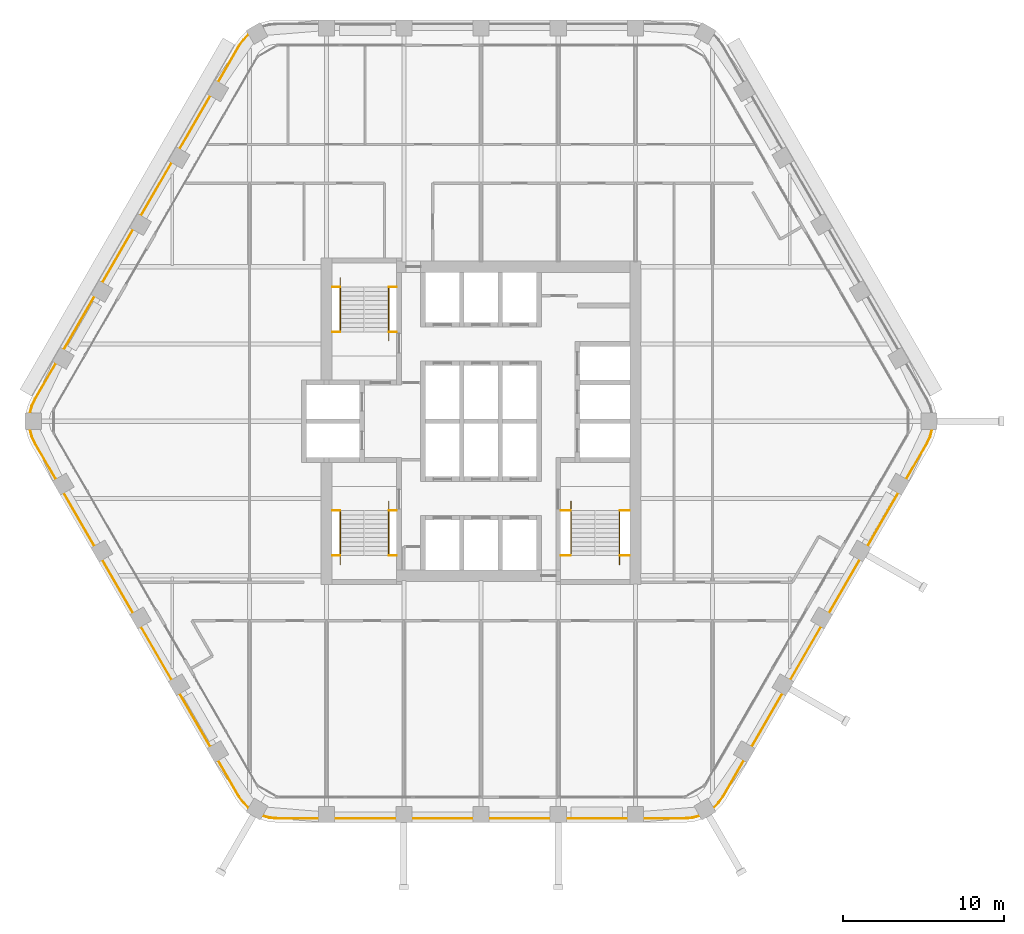
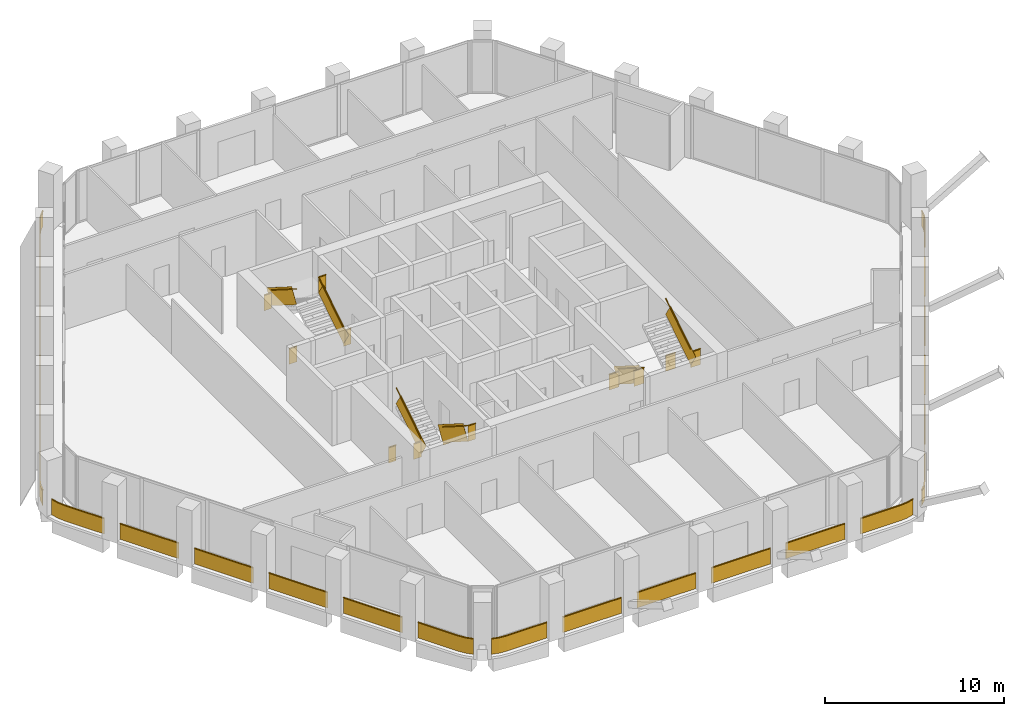
# One storey, part 15 of 16: 10 railings.
"""IFC4 building model written with IfcOpenShell, lengths in metres."""

from ifc_helpers import new_model, si_unit, direction, frame, frame_2d, origin, origin_2d, place, context, subcontext, project, spatial, rectangle, extrude, material, type_object, element, save


model = new_model("IFC4")

# Units and contexts
model_context = context("Model", 3, precision=1e-05, world=origin(), true_north=direction((0.0, 1.0)))
body_context = subcontext(model_context, "Body", "Model", "MODEL_VIEW")
ifc_project = project(units=[si_unit("LENGTHUNIT", "METRE"), si_unit("AREAUNIT", "SQUARE_METRE"), si_unit("VOLUMEUNIT", "CUBIC_METRE"), si_unit("PLANEANGLEUNIT", "RADIAN"), si_unit("MASSUNIT", "GRAM", prefix="KILO")], contexts=[model_context])

# Site, building, storey
site_placement = place(None, origin())
site = spatial("IfcSite", under=ifc_project, at=site_placement, CompositionType="ELEMENT")
building_placement = place(site_placement, origin())
building = spatial("IfcBuilding", under=site, at=building_placement, Name="Kolab Exchange Tower", CompositionType="ELEMENT")
storey_placement = place(building_placement, frame((0.0, 0.0, 193.39990234375)))
storey = spatial("IfcBuildingStorey", under=building, at=storey_placement, Name="L41", CompositionType="ELEMENT", Elevation=193.39990234375)

# Railings
ifc_material_1 = material(Name="Stainless steel 316", Category="steel")
railing_type_1 = type_object("IfcRailingType", Name="GUARD 1100", PredefinedType="GUARDRAIL", material=ifc_material_1)
railing_1_placement = place(storey_placement, frame((-9.25, 5.550048828125, 0.0)))
element("IfcRailing", 1, at=railing_1_placement, inside=storey, type_object=railing_type_1, Name="Guard ST1", PredefinedType="GUARDRAIL", context=body_context, shape_type="SweptSolid", body=[
    extrude(rectangle(XDim=0.05, YDim=0.05, at=origin_2d()), frame((0.0, 0.0, 1.0751953125), z_axis=(1.0, 0.0, 0.0), x_axis=(0.0, 1.0, 0.0)), (0.0, 0.0, 1.0), 0.489990234375),
    extrude(rectangle(XDim=0.012, YDim=1.05009765625, at=frame_2d((0.0, 0.525146484375))), frame((0.0, 0.0, 0.0), z_axis=(1.0, 0.0, 0.0), x_axis=(0.0, 1.0, 0.0)), (0.0, 0.0, 1.0), 0.489990234375),
    extrude(rectangle(XDim=0.05, YDim=0.05, at=origin_2d()), frame((3.510009765625, 0.0, 1.0751953125), z_axis=(1.0, 0.0, 0.0), x_axis=(0.0, 1.0, 0.0)), (0.0, 0.0, 1.0), 0.489990234375),
    extrude(rectangle(XDim=0.012, YDim=1.05009765625, at=frame_2d((0.0, 0.525146484375))), frame((3.510009765625, 0.0, 0.0), z_axis=(1.0, 0.0, 0.0), x_axis=(0.0, 1.0, 0.0)), (0.0, 0.0, 1.0), 0.489990234375),
    extrude(rectangle(XDim=0.05, YDim=0.05, at=origin_2d()), frame((0.0, 2.800048828125, 3.025390625), z_axis=(1.0, 0.0, 0.0), x_axis=(0.0, 1.0, 0.0)), (0.0, 0.0, 1.0), 0.489990234375),
    extrude(rectangle(XDim=0.012, YDim=1.05009765625, at=frame_2d((0.0, 0.525146484375))), frame((0.0, 2.800048828125, 1.9501953125), z_axis=(1.0, 0.0, 0.0), x_axis=(0.0, 1.0, 0.0)), (0.0, 0.0, 1.0), 0.489990234375),
    extrude(rectangle(XDim=0.05, YDim=0.05, at=origin_2d()), frame((3.510009765625, 2.800048828125, 3.025390625), z_axis=(1.0, 0.0, 0.0), x_axis=(0.0, 1.0, 0.0)), (0.0, 0.0, 1.0), 0.489990234375),
    extrude(rectangle(XDim=0.012, YDim=1.05009765625, at=frame_2d((0.0, 0.525146484375))), frame((3.510009765625, 2.800048828125, 1.9501953125), z_axis=(1.0, 0.0, 0.0), x_axis=(0.0, 1.0, 0.0)), (0.0, 0.0, 1.0), 0.489990234375),
])
railing_2_placement = place(storey_placement, frame((-5.739990234375, 5.550048828125, 0.177490234375)))
element("IfcRailing", 2, at=railing_2_placement, inside=storey, type_object=railing_type_1, Name="Handrail guard ST1", PredefinedType="GUARDRAIL", context=body_context, shape_type="SweptSolid", body=[
    extrude(rectangle(XDim=0.05, YDim=0.05, at=origin_2d()), frame((0.0, 0.0, 1.0751953125), z_axis=(0.0, 0.844908973607, 0.534910110503), x_axis=(-1.0, 0.0, 0.0)), (0.0, 0.0, 1.0), 3.31396484375),
    extrude(rectangle(XDim=0.012, YDim=1.05009765625, at=frame_2d((0.0, 0.525146484375))), frame((0.0, 0.0, 0.0), z_axis=(0.0, 0.844908973607, 0.534910110503), x_axis=(-1.0, 0.0, 0.0)), (0.0, 0.0, 1.0), 3.31396484375),
    extrude(rectangle(XDim=0.05, YDim=0.05, at=origin_2d()), frame((-3.02001953125, 2.800048828125, 3.025146484375), z_axis=(0.0, -0.844908973607, 0.534910110503), x_axis=(1.0, 0.0, 0.0)), (0.0, 0.0, 1.0), 3.31396484375),
    extrude(rectangle(XDim=0.012, YDim=1.05009765625, at=frame_2d((0.0, 0.525146484375))), frame((-3.02001953125, 2.800048828125, 1.949951171875), z_axis=(0.0, -0.844908973607, 0.534910110503), x_axis=(1.0, 0.0, 0.0)), (0.0, 0.0, 1.0), 3.31396484375),
])
railing_3_placement = place(storey_placement, frame((-9.25, -5.550048828125, 0.0)))
element("IfcRailing", 3, at=railing_3_placement, inside=storey, type_object=railing_type_1, Name="Guard ST3", PredefinedType="GUARDRAIL", context=body_context, shape_type="SweptSolid", body=[
    extrude(rectangle(XDim=0.05, YDim=0.05, at=origin_2d()), frame((0.0, 0.0, 1.0751953125), z_axis=(1.0, 0.0, 0.0), x_axis=(0.0, 1.0, 0.0)), (0.0, 0.0, 1.0), 0.489990234375),
    extrude(rectangle(XDim=0.012, YDim=1.05009765625, at=frame_2d((0.0, 0.525146484375))), frame((0.0, 0.0, 0.0), z_axis=(1.0, 0.0, 0.0), x_axis=(0.0, 1.0, 0.0)), (0.0, 0.0, 1.0), 0.489990234375),
    extrude(rectangle(XDim=0.05, YDim=0.05, at=origin_2d()), frame((3.510009765625, 0.0, 1.0751953125), z_axis=(1.0, 0.0, 0.0), x_axis=(0.0, 1.0, 0.0)), (0.0, 0.0, 1.0), 0.489990234375),
    extrude(rectangle(XDim=0.012, YDim=1.05009765625, at=frame_2d((0.0, 0.525146484375))), frame((3.510009765625, 0.0, 0.0), z_axis=(1.0, 0.0, 0.0), x_axis=(0.0, 1.0, 0.0)), (0.0, 0.0, 1.0), 0.489990234375),
    extrude(rectangle(XDim=0.05, YDim=0.05, at=origin_2d()), frame((0.0, -2.800048828125, 3.025390625), z_axis=(1.0, 0.0, 0.0), x_axis=(0.0, 1.0, 0.0)), (0.0, 0.0, 1.0), 0.489990234375),
    extrude(rectangle(XDim=0.012, YDim=1.05009765625, at=frame_2d((0.0, 0.525146484375))), frame((0.0, -2.800048828125, 1.9501953125), z_axis=(1.0, 0.0, 0.0), x_axis=(0.0, 1.0, 0.0)), (0.0, 0.0, 1.0), 0.489990234375),
    extrude(rectangle(XDim=0.05, YDim=0.05, at=origin_2d()), frame((3.510009765625, -2.800048828125, 3.025390625), z_axis=(1.0, 0.0, 0.0), x_axis=(0.0, 1.0, 0.0)), (0.0, 0.0, 1.0), 0.489990234375),
    extrude(rectangle(XDim=0.012, YDim=1.05009765625, at=frame_2d((0.0, 0.525146484375))), frame((3.510009765625, -2.800048828125, 1.9501953125), z_axis=(1.0, 0.0, 0.0), x_axis=(0.0, 1.0, 0.0)), (0.0, 0.0, 1.0), 0.489990234375),
])
railing_4_placement = place(storey_placement, frame((-5.739990234375, -5.550048828125, 0.177490234375)))
element("IfcRailing", 4, at=railing_4_placement, inside=storey, type_object=railing_type_1, Name="Handrail guard ST3", PredefinedType="GUARDRAIL", context=body_context, shape_type="SweptSolid", body=[
    extrude(rectangle(XDim=0.05, YDim=0.05, at=origin_2d()), frame((0.0, 0.0, 1.0751953125), z_axis=(0.0, -0.844908973607, 0.534910110503), x_axis=(1.0, 0.0, 0.0)), (0.0, 0.0, 1.0), 3.31396484375),
    extrude(rectangle(XDim=0.012, YDim=1.05009765625, at=frame_2d((0.0, 0.525146484375))), frame((0.0, 0.0, 0.0), z_axis=(0.0, -0.844908973607, 0.534910110503), x_axis=(1.0, 0.0, 0.0)), (0.0, 0.0, 1.0), 3.31396484375),
    extrude(rectangle(XDim=0.05, YDim=0.05, at=origin_2d()), frame((-3.02001953125, -2.800048828125, 3.025146484375), z_axis=(0.0, 0.844908973607, 0.534910110503), x_axis=(-1.0, 0.0, 0.0)), (0.0, 0.0, 1.0), 3.31396484375),
    extrude(rectangle(XDim=0.012, YDim=1.05009765625, at=frame_2d((0.0, 0.525146484375))), frame((-3.02001953125, -2.800048828125, 1.949951171875), z_axis=(0.0, 0.844908973607, 0.534910110503), x_axis=(-1.0, 0.0, 0.0)), (0.0, 0.0, 1.0), 3.31396484375),
])
railing_5_placement = place(storey_placement, frame((4.949951171875, -5.550048828125, 0.0)))
element("IfcRailing", 5, at=railing_5_placement, inside=storey, type_object=railing_type_1, Name="Guard ST2", PredefinedType="GUARDRAIL", context=body_context, shape_type="SweptSolid", body=[
    extrude(rectangle(XDim=0.05, YDim=0.05, at=origin_2d()), frame((0.0, 0.0, 1.0751953125), z_axis=(1.0, 0.0, 0.0), x_axis=(0.0, 1.0, 0.0)), (0.0, 0.0, 1.0), 0.64013671875),
    extrude(rectangle(XDim=0.012, YDim=1.05009765625, at=frame_2d((0.0, 0.525146484375))), frame((0.0, 0.0, 0.0), z_axis=(1.0, 0.0, 0.0), x_axis=(0.0, 1.0, 0.0)), (0.0, 0.0, 1.0), 0.64013671875),
    extrude(rectangle(XDim=0.05, YDim=0.05, at=origin_2d()), frame((3.66015625, 0.0, 1.0751953125), z_axis=(1.0, 0.0, 0.0), x_axis=(0.0, 1.0, 0.0)), (0.0, 0.0, 1.0), 0.639892578125),
    extrude(rectangle(XDim=0.012, YDim=1.05009765625, at=frame_2d((0.0, 0.525146484375))), frame((3.66015625, 0.0, 0.0), z_axis=(1.0, 0.0, 0.0), x_axis=(0.0, 1.0, 0.0)), (0.0, 0.0, 1.0), 0.639892578125),
    extrude(rectangle(XDim=0.05, YDim=0.05, at=origin_2d()), frame((0.0, -2.800048828125, 3.025390625), z_axis=(1.0, 0.0, 0.0), x_axis=(0.0, 1.0, 0.0)), (0.0, 0.0, 1.0), 0.64013671875),
    extrude(rectangle(XDim=0.012, YDim=1.05009765625, at=frame_2d((0.0, 0.525146484375))), frame((0.0, -2.800048828125, 1.9501953125), z_axis=(1.0, 0.0, 0.0), x_axis=(0.0, 1.0, 0.0)), (0.0, 0.0, 1.0), 0.64013671875),
    extrude(rectangle(XDim=0.05, YDim=0.05, at=origin_2d()), frame((3.66015625, -2.800048828125, 3.025390625), z_axis=(1.0, 0.0, 0.0), x_axis=(0.0, 1.0, 0.0)), (0.0, 0.0, 1.0), 0.639892578125),
    extrude(rectangle(XDim=0.012, YDim=1.05009765625, at=frame_2d((0.0, 0.525146484375))), frame((3.66015625, -2.800048828125, 1.9501953125), z_axis=(1.0, 0.0, 0.0), x_axis=(0.0, 1.0, 0.0)), (0.0, 0.0, 1.0), 0.639892578125),
])
railing_6_placement = place(storey_placement, frame((5.590087890625, -5.550048828125, 0.177490234375)))
element("IfcRailing", 6, at=railing_6_placement, inside=storey, type_object=railing_type_1, Name="Handrail guard ST2", PredefinedType="GUARDRAIL", context=body_context, shape_type="SweptSolid", body=[
    extrude(rectangle(XDim=0.05, YDim=0.05, at=origin_2d()), frame((0.0, 0.0, 1.0751953125), z_axis=(0.0, -0.844908973607, 0.534910110503), x_axis=(1.0, 0.0, 0.0)), (0.0, 0.0, 1.0), 3.31396484375),
    extrude(rectangle(XDim=0.012, YDim=1.05009765625, at=frame_2d((0.0, 0.525146484375))), frame((0.0, 0.0, 0.0), z_axis=(0.0, -0.844908973607, 0.534910110503), x_axis=(1.0, 0.0, 0.0)), (0.0, 0.0, 1.0), 3.31396484375),
    extrude(rectangle(XDim=0.05, YDim=0.05, at=origin_2d()), frame((3.02001953125, -2.800048828125, 3.025146484375), z_axis=(0.0, 0.844908973607, 0.534910110503), x_axis=(-1.0, 0.0, 0.0)), (0.0, 0.0, 1.0), 3.31396484375),
    extrude(rectangle(XDim=0.012, YDim=1.05009765625, at=frame_2d((0.0, 0.525146484375))), frame((3.02001953125, -2.800048828125, 1.949951171875), z_axis=(0.0, 0.844908973607, 0.534910110503), x_axis=(-1.0, 0.0, 0.0)), (0.0, 0.0, 1.0), 3.31396484375),
])
ifc_material_2 = material(Name="Steel S235", Category="steel")
railing_type_2 = type_object("IfcRailingType", Name="GUARD 1100 GLASS BALUSTRADE AND STEEL TOP RAIL", PredefinedType="GUARDRAIL", material=ifc_material_2)
railing_7_placement = place(storey_placement, frame((14.4501953125, -24.033447265625, 0.0)))
element("IfcRailing", 7, at=railing_7_placement, inside=storey, type_object=railing_type_2, Name="Guard", PredefinedType="GUARDRAIL", context=body_context, shape_type="SweptSolid", body=[
    extrude(rectangle(XDim=0.05, YDim=0.05, at=origin_2d()), frame((0.0, 0.0, 1.0751953125), z_axis=(0.70737286085, 0.706840601361, 0.0), x_axis=(-0.706840601361, 0.70737286085, 0.0)), (0.0, 0.0, 1.0), 0.458740234375),
    extrude(rectangle(XDim=0.012, YDim=1.05009765625, at=frame_2d((0.0, 0.525146484375))), frame((0.0, 0.0, 0.0), z_axis=(0.70737286085, 0.706840601361, 0.0), x_axis=(-0.706840601361, 0.70737286085, 0.0)), (0.0, 0.0, 1.0), 0.458740234375),
    extrude(rectangle(XDim=0.05, YDim=0.05, at=origin_2d()), frame((0.324462890625, 0.32421875, 1.0751953125), z_axis=(0.573599091554, 0.819136180478, 0.0), x_axis=(-0.819136180478, 0.573599091554, 0.0)), (0.0, 0.0, 1.0), 0.479248046875),
    extrude(rectangle(XDim=0.012, YDim=1.05009765625, at=frame_2d((0.0, 0.525146484375))), frame((0.324462890625, 0.32421875, 0.0), z_axis=(0.573599091554, 0.819136180478, 0.0), x_axis=(-0.819136180478, 0.573599091554, 0.0)), (0.0, 0.0, 1.0), 0.479248046875),
    extrude(rectangle(XDim=0.05, YDim=0.05, at=origin_2d()), frame((0.599365234375, 0.716796875, 1.0751953125), z_axis=(0.499952873616, 0.866052610505, 0.0), x_axis=(-0.866052610505, 0.499952873616, 0.0)), (0.0, 0.0, 1.0), 2.568115234375),
    extrude(rectangle(XDim=0.012, YDim=1.05009765625, at=frame_2d((0.0, 0.525146484375))), frame((0.599365234375, 0.716796875, 0.0), z_axis=(0.499952873616, 0.866052610505, 0.0), x_axis=(-0.866052610505, 0.499952873616, 0.0)), (0.0, 0.0, 1.0), 2.568115234375),
    extrude(rectangle(XDim=0.05, YDim=0.05, at=origin_2d()), frame((2.38330078125, 3.806884765625, 1.0751953125), z_axis=(0.499994975061, 0.866028304915, 0.0), x_axis=(-0.866028304915, 0.499994975061, 0.0)), (0.0, 0.0, 1.0), 3.7998046875),
    extrude(rectangle(XDim=0.012, YDim=1.05009765625, at=frame_2d((0.0, 0.525146484375))), frame((2.38330078125, 3.806884765625, 0.0), z_axis=(0.499994975061, 0.866028304915, 0.0), x_axis=(-0.866028304915, 0.499994975061, 0.0)), (0.0, 0.0, 1.0), 3.7998046875),
    extrude(rectangle(XDim=0.05, YDim=0.05, at=origin_2d()), frame((4.783203125, 7.9638671875, 1.0751953125), z_axis=(0.500043160704, 0.866000483506, 0.0), x_axis=(-0.866000483506, 0.500043160704, 0.0)), (0.0, 0.0, 1.0), 3.800048828125),
    extrude(rectangle(XDim=0.012, YDim=1.05009765625, at=frame_2d((0.0, 0.525146484375))), frame((4.783203125, 7.9638671875, 0.0), z_axis=(0.500043160704, 0.866000483506, 0.0), x_axis=(-0.866000483506, 0.500043160704, 0.0)), (0.0, 0.0, 1.0), 3.800048828125),
    extrude(rectangle(XDim=0.05, YDim=0.05, at=origin_2d()), frame((7.183349609375, 12.12060546875, 1.0751953125), z_axis=(0.499967155389, 0.866044365799, 0.0), x_axis=(-0.866044365799, 0.499967155389, 0.0)), (0.0, 0.0, 1.0), 3.800048828125),
    extrude(rectangle(XDim=0.012, YDim=1.05009765625, at=frame_2d((0.0, 0.525146484375))), frame((7.183349609375, 12.12060546875, 0.0), z_axis=(0.499967155389, 0.866044365799, 0.0), x_axis=(-0.866044365799, 0.499967155389, 0.0)), (0.0, 0.0, 1.0), 3.800048828125),
    extrude(rectangle(XDim=0.05, YDim=0.05, at=origin_2d()), frame((9.583251953125, 16.277587890625, 1.0751953125), z_axis=(0.500015340139, 0.86601654697, 0.0), x_axis=(-0.86601654697, 0.500015340139, 0.0)), (0.0, 0.0, 1.0), 3.80029296875),
    extrude(rectangle(XDim=0.012, YDim=1.05009765625, at=frame_2d((0.0, 0.525146484375))), frame((9.583251953125, 16.277587890625, 0.0), z_axis=(0.500015340139, 0.86601654697, 0.0), x_axis=(-0.86601654697, 0.500015340139, 0.0)), (0.0, 0.0, 1.0), 3.80029296875),
    extrude(rectangle(XDim=0.05, YDim=0.05, at=origin_2d()), frame((11.9833984375, 20.4345703125, 1.0751953125), z_axis=(0.499994038704, 0.866028845513, 0.0), x_axis=(-0.866028845513, 0.499994038704, 0.0)), (0.0, 0.0, 1.0), 2.56787109375),
    extrude(rectangle(XDim=0.012, YDim=1.05009765625, at=frame_2d((0.0, 0.525146484375))), frame((11.9833984375, 20.4345703125, 0.0), z_axis=(0.499994038704, 0.866028845513, 0.0), x_axis=(-0.866028845513, 0.499994038704, 0.0)), (0.0, 0.0, 1.0), 2.56787109375),
    extrude(rectangle(XDim=0.05, YDim=0.05, at=origin_2d()), frame((13.267333984375, 22.658447265625, 1.0751953125), z_axis=(0.422801802984, 0.906222177721, 0.0), x_axis=(-0.906222177721, 0.422801802984, 0.0)), (0.0, 0.0, 1.0), 0.479248046875),
    extrude(rectangle(XDim=0.012, YDim=1.05009765625, at=frame_2d((0.0, 0.525146484375))), frame((13.267333984375, 22.658447265625, 0.0), z_axis=(0.422801802984, 0.906222177721, 0.0), x_axis=(-0.906222177721, 0.422801802984, 0.0)), (0.0, 0.0, 1.0), 0.479248046875),
    extrude(rectangle(XDim=0.05, YDim=0.05, at=origin_2d()), frame((13.469970703125, 23.0927734375, 1.0751953125), z_axis=(0.25865627591, 0.965969425465, 0.0), x_axis=(-0.965969425465, 0.25865627591, 0.0)), (0.0, 0.0, 1.0), 0.458740234375),
    extrude(rectangle(XDim=0.012, YDim=1.05009765625, at=frame_2d((0.0, 0.525146484375))), frame((13.469970703125, 23.0927734375, 0.0), z_axis=(0.25865627591, 0.965969425465, 0.0), x_axis=(-0.965969425465, 0.25865627591, 0.0)), (0.0, 0.0, 1.0), 0.458740234375),
])
railing_8_placement = place(storey_placement, frame((-13.588623046875, -24.531005859375, 0.0)))
element("IfcRailing", 8, at=railing_8_placement, inside=storey, type_object=railing_type_2, Name="Guard", PredefinedType="GUARDRAIL", context=body_context, shape_type="SweptSolid", body=[
    extrude(rectangle(XDim=0.05, YDim=0.05, at=origin_2d()), frame((0.0, 0.0, 1.0751953125), z_axis=(0.965969425465, -0.25865627591, 0.0), x_axis=(0.25865627591, 0.965969425465, 0.0)), (0.0, 0.0, 1.0), 0.458740234375),
    extrude(rectangle(XDim=0.012, YDim=1.05009765625, at=frame_2d((0.0, 0.525146484375))), frame((0.0, 0.0, 0.0), z_axis=(0.965969425465, -0.25865627591, 0.0), x_axis=(0.25865627591, 0.965969425465, 0.0)), (0.0, 0.0, 1.0), 0.458740234375),
    extrude(rectangle(XDim=0.05, YDim=0.05, at=origin_2d()), frame((0.443115234375, -0.11865234375, 1.0751953125), z_axis=(0.996156034798, -0.087596542937, 0.0), x_axis=(0.087596542937, 0.996156034798, 0.0)), (0.0, 0.0, 1.0), 0.4794921875),
    extrude(rectangle(XDim=0.012, YDim=1.05009765625, at=frame_2d((0.0, 0.525146484375))), frame((0.443115234375, -0.11865234375, 0.0), z_axis=(0.996156034798, -0.087596542937, 0.0), x_axis=(0.087596542937, 0.996156034798, 0.0)), (0.0, 0.0, 1.0), 0.4794921875),
    extrude(rectangle(XDim=0.05, YDim=0.05, at=origin_2d()), frame((0.920654296875, -0.16064453125, 1.0751953125), z_axis=(1.0, 0.0, 0.0), x_axis=(0.0, 1.0, 0.0)), (0.0, 0.0, 1.0), 2.56787109375),
    extrude(rectangle(XDim=0.012, YDim=1.05009765625, at=frame_2d((0.0, 0.525146484375))), frame((0.920654296875, -0.16064453125, 0.0), z_axis=(1.0, 0.0, 0.0), x_axis=(0.0, 1.0, 0.0)), (0.0, 0.0, 1.0), 2.56787109375),
    extrude(rectangle(XDim=0.05, YDim=0.05, at=origin_2d()), frame((4.488525390625, -0.16064453125, 1.0751953125), z_axis=(1.0, 0.0, 0.0), x_axis=(0.0, 1.0, 0.0)), (0.0, 0.0, 1.0), 3.800048828125),
    extrude(rectangle(XDim=0.012, YDim=1.05009765625, at=frame_2d((0.0, 0.525146484375))), frame((4.488525390625, -0.16064453125, 0.0), z_axis=(1.0, 0.0, 0.0), x_axis=(0.0, 1.0, 0.0)), (0.0, 0.0, 1.0), 3.800048828125),
    extrude(rectangle(XDim=0.05, YDim=0.05, at=origin_2d()), frame((9.28857421875, -0.16064453125, 1.0751953125), z_axis=(1.0, 0.0, 0.0), x_axis=(0.0, 1.0, 0.0)), (0.0, 0.0, 1.0), 3.800048828125),
    extrude(rectangle(XDim=0.012, YDim=1.05009765625, at=frame_2d((0.0, 0.525146484375))), frame((9.28857421875, -0.16064453125, 0.0), z_axis=(1.0, 0.0, 0.0), x_axis=(0.0, 1.0, 0.0)), (0.0, 0.0, 1.0), 3.800048828125),
    extrude(rectangle(XDim=0.05, YDim=0.05, at=origin_2d()), frame((14.088623046875, -0.16064453125, 1.0751953125), z_axis=(1.0, 0.0, 0.0), x_axis=(0.0, 1.0, 0.0)), (0.0, 0.0, 1.0), 3.800048828125),
    extrude(rectangle(XDim=0.012, YDim=1.05009765625, at=frame_2d((0.0, 0.525146484375))), frame((14.088623046875, -0.16064453125, 0.0), z_axis=(1.0, 0.0, 0.0), x_axis=(0.0, 1.0, 0.0)), (0.0, 0.0, 1.0), 3.800048828125),
    extrude(rectangle(XDim=0.05, YDim=0.05, at=origin_2d()), frame((18.888671875, -0.16064453125, 1.0751953125), z_axis=(1.0, 0.0, 0.0), x_axis=(0.0, 1.0, 0.0)), (0.0, 0.0, 1.0), 3.800048828125),
    extrude(rectangle(XDim=0.012, YDim=1.05009765625, at=frame_2d((0.0, 0.525146484375))), frame((18.888671875, -0.16064453125, 0.0), z_axis=(1.0, 0.0, 0.0), x_axis=(0.0, 1.0, 0.0)), (0.0, 0.0, 1.0), 3.800048828125),
    extrude(rectangle(XDim=0.05, YDim=0.05, at=origin_2d()), frame((23.688720703125, -0.16064453125, 1.0751953125), z_axis=(1.0, 0.0, 0.0), x_axis=(0.0, 1.0, 0.0)), (0.0, 0.0, 1.0), 2.56787109375),
    extrude(rectangle(XDim=0.012, YDim=1.05009765625, at=frame_2d((0.0, 0.525146484375))), frame((23.688720703125, -0.16064453125, 0.0), z_axis=(1.0, 0.0, 0.0), x_axis=(0.0, 1.0, 0.0)), (0.0, 0.0, 1.0), 2.56787109375),
    extrude(rectangle(XDim=0.05, YDim=0.05, at=origin_2d()), frame((26.256591796875, -0.16064453125, 1.0751953125), z_axis=(0.996156034798, 0.087596542937, 0.0), x_axis=(-0.087596542937, 0.996156034798, 0.0)), (0.0, 0.0, 1.0), 0.4794921875),
    extrude(rectangle(XDim=0.012, YDim=1.05009765625, at=frame_2d((0.0, 0.525146484375))), frame((26.256591796875, -0.16064453125, 0.0), z_axis=(0.996156034798, 0.087596542937, 0.0), x_axis=(-0.087596542937, 0.996156034798, 0.0)), (0.0, 0.0, 1.0), 0.4794921875),
    extrude(rectangle(XDim=0.05, YDim=0.05, at=origin_2d()), frame((26.734130859375, -0.11865234375, 1.0751953125), z_axis=(0.965969425465, 0.25865627591, 0.0), x_axis=(-0.25865627591, 0.965969425465, 0.0)), (0.0, 0.0, 1.0), 0.458740234375),
    extrude(rectangle(XDim=0.012, YDim=1.05009765625, at=frame_2d((0.0, 0.525146484375))), frame((26.734130859375, -0.11865234375, 0.0), z_axis=(0.965969425465, 0.25865627591, 0.0), x_axis=(-0.25865627591, 0.965969425465, 0.0)), (0.0, 0.0, 1.0), 0.458740234375),
])
railing_9_placement = place(storey_placement, frame((-28.038818359375, -0.49755859375, 0.0)))
element("IfcRailing", 9, at=railing_9_placement, inside=storey, type_object=railing_type_2, Name="Guard", PredefinedType="GUARDRAIL", context=body_context, shape_type="SweptSolid", body=[
    extrude(rectangle(XDim=0.05, YDim=0.05, at=origin_2d()), frame((0.0, 0.0, 1.0751953125), z_axis=(0.25865627591, -0.965969425465, 0.0), x_axis=(0.965969425465, 0.25865627591, 0.0)), (0.0, 0.0, 1.0), 0.458740234375),
    extrude(rectangle(XDim=0.012, YDim=1.05009765625, at=frame_2d((0.0, 0.525146484375))), frame((0.0, 0.0, 0.0), z_axis=(0.25865627591, -0.965969425465, 0.0), x_axis=(0.965969425465, 0.25865627591, 0.0)), (0.0, 0.0, 1.0), 0.458740234375),
    extrude(rectangle(XDim=0.05, YDim=0.05, at=origin_2d()), frame((0.11865234375, -0.443115234375, 1.0751953125), z_axis=(0.422801802984, -0.906222177721, 0.0), x_axis=(0.906222177721, 0.422801802984, 0.0)), (0.0, 0.0, 1.0), 0.479248046875),
    extrude(rectangle(XDim=0.012, YDim=1.05009765625, at=frame_2d((0.0, 0.525146484375))), frame((0.11865234375, -0.443115234375, 0.0), z_axis=(0.422801802984, -0.906222177721, 0.0), x_axis=(0.906222177721, 0.422801802984, 0.0)), (0.0, 0.0, 1.0), 0.479248046875),
    extrude(rectangle(XDim=0.05, YDim=0.05, at=origin_2d()), frame((0.3212890625, -0.87744140625, 1.0751953125), z_axis=(0.499994038704, -0.866028845513, 0.0), x_axis=(0.866028845513, 0.499994038704, 0.0)), (0.0, 0.0, 1.0), 2.56787109375),
    extrude(rectangle(XDim=0.012, YDim=1.05009765625, at=frame_2d((0.0, 0.525146484375))), frame((0.3212890625, -0.87744140625, 0.0), z_axis=(0.499994038704, -0.866028845513, 0.0), x_axis=(0.866028845513, 0.499994038704, 0.0)), (0.0, 0.0, 1.0), 2.56787109375),
    extrude(rectangle(XDim=0.05, YDim=0.05, at=origin_2d()), frame((2.105224609375, -3.96728515625, 1.0751953125), z_axis=(0.500015340139, -0.86601654697, 0.0), x_axis=(0.86601654697, 0.500015340139, 0.0)), (0.0, 0.0, 1.0), 3.80029296875),
    extrude(rectangle(XDim=0.012, YDim=1.05009765625, at=frame_2d((0.0, 0.525146484375))), frame((2.105224609375, -3.96728515625, 0.0), z_axis=(0.500015340139, -0.86601654697, 0.0), x_axis=(0.86601654697, 0.500015340139, 0.0)), (0.0, 0.0, 1.0), 3.80029296875),
    extrude(rectangle(XDim=0.05, YDim=0.05, at=origin_2d()), frame((4.50537109375, -8.124267578125, 1.0751953125), z_axis=(0.499967155389, -0.866044365799, 0.0), x_axis=(0.866044365799, 0.499967155389, 0.0)), (0.0, 0.0, 1.0), 3.800048828125),
    extrude(rectangle(XDim=0.012, YDim=1.05009765625, at=frame_2d((0.0, 0.525146484375))), frame((4.50537109375, -8.124267578125, 0.0), z_axis=(0.499967155389, -0.866044365799, 0.0), x_axis=(0.866044365799, 0.499967155389, 0.0)), (0.0, 0.0, 1.0), 3.800048828125),
    extrude(rectangle(XDim=0.05, YDim=0.05, at=origin_2d()), frame((6.9052734375, -12.28125, 1.0751953125), z_axis=(0.500043160704, -0.866000483506, 0.0), x_axis=(0.866000483506, 0.500043160704, 0.0)), (0.0, 0.0, 1.0), 3.800048828125),
    extrude(rectangle(XDim=0.012, YDim=1.05009765625, at=frame_2d((0.0, 0.525146484375))), frame((6.9052734375, -12.28125, 0.0), z_axis=(0.500043160704, -0.866000483506, 0.0), x_axis=(0.866000483506, 0.500043160704, 0.0)), (0.0, 0.0, 1.0), 3.800048828125),
    extrude(rectangle(XDim=0.05, YDim=0.05, at=origin_2d()), frame((9.305419921875, -16.438232421875, 1.0751953125), z_axis=(0.499994975061, -0.866028304915, 0.0), x_axis=(0.866028304915, 0.499994975061, 0.0)), (0.0, 0.0, 1.0), 3.7998046875),
    extrude(rectangle(XDim=0.012, YDim=1.05009765625, at=frame_2d((0.0, 0.525146484375))), frame((9.305419921875, -16.438232421875, 0.0), z_axis=(0.499994975061, -0.866028304915, 0.0), x_axis=(0.866028304915, 0.499994975061, 0.0)), (0.0, 0.0, 1.0), 3.7998046875),
    extrude(rectangle(XDim=0.05, YDim=0.05, at=origin_2d()), frame((11.705322265625, -20.594970703125, 1.0751953125), z_axis=(0.499952873616, -0.866052610505, 0.0), x_axis=(0.866052610505, 0.499952873616, 0.0)), (0.0, 0.0, 1.0), 2.568115234375),
    extrude(rectangle(XDim=0.012, YDim=1.05009765625, at=frame_2d((0.0, 0.525146484375))), frame((11.705322265625, -20.594970703125, 0.0), z_axis=(0.499952873616, -0.866052610505, 0.0), x_axis=(0.866052610505, 0.499952873616, 0.0)), (0.0, 0.0, 1.0), 2.568115234375),
    extrude(rectangle(XDim=0.05, YDim=0.05, at=origin_2d()), frame((12.9892578125, -22.819091796875, 1.0751953125), z_axis=(0.573599091554, -0.819136180478, 0.0), x_axis=(0.819136180478, 0.573599091554, 0.0)), (0.0, 0.0, 1.0), 0.479248046875),
    extrude(rectangle(XDim=0.012, YDim=1.05009765625, at=frame_2d((0.0, 0.525146484375))), frame((12.9892578125, -22.819091796875, 0.0), z_axis=(0.573599091554, -0.819136180478, 0.0), x_axis=(0.819136180478, 0.573599091554, 0.0)), (0.0, 0.0, 1.0), 0.479248046875),
    extrude(rectangle(XDim=0.05, YDim=0.05, at=origin_2d()), frame((13.26416015625, -23.211669921875, 1.0751953125), z_axis=(0.70737286085, -0.706840601361, 0.0), x_axis=(0.706840601361, 0.70737286085, 0.0)), (0.0, 0.0, 1.0), 0.458740234375),
    extrude(rectangle(XDim=0.012, YDim=1.05009765625, at=frame_2d((0.0, 0.525146484375))), frame((13.26416015625, -23.211669921875, 0.0), z_axis=(0.70737286085, -0.706840601361, 0.0), x_axis=(0.706840601361, 0.70737286085, 0.0)), (0.0, 0.0, 1.0), 0.458740234375),
])
railing_10_placement = place(storey_placement, frame((-14.4501953125, 24.033447265625, 0.0)))
element("IfcRailing", 10, at=railing_10_placement, inside=storey, type_object=railing_type_2, Name="Guard", PredefinedType="GUARDRAIL", context=body_context, shape_type="SweptSolid", body=[
    extrude(rectangle(XDim=0.05, YDim=0.05, at=origin_2d()), frame((0.0, 0.0, 1.0751953125), z_axis=(-0.70737286085, -0.706840601361, 0.0), x_axis=(0.706840601361, -0.70737286085, 0.0)), (0.0, 0.0, 1.0), 0.458740234375),
    extrude(rectangle(XDim=0.012, YDim=1.05009765625, at=frame_2d((0.0, 0.525146484375))), frame((0.0, 0.0, 0.0), z_axis=(-0.70737286085, -0.706840601361, 0.0), x_axis=(0.706840601361, -0.70737286085, 0.0)), (0.0, 0.0, 1.0), 0.458740234375),
    extrude(rectangle(XDim=0.05, YDim=0.05, at=origin_2d()), frame((-0.324462890625, -0.32421875, 1.0751953125), z_axis=(-0.573599091554, -0.819136180478, 0.0), x_axis=(0.819136180478, -0.573599091554, 0.0)), (0.0, 0.0, 1.0), 0.479248046875),
    extrude(rectangle(XDim=0.012, YDim=1.05009765625, at=frame_2d((0.0, 0.525146484375))), frame((-0.324462890625, -0.32421875, 0.0), z_axis=(-0.573599091554, -0.819136180478, 0.0), x_axis=(0.819136180478, -0.573599091554, 0.0)), (0.0, 0.0, 1.0), 0.479248046875),
    extrude(rectangle(XDim=0.05, YDim=0.05, at=origin_2d()), frame((-0.599365234375, -0.716796875, 1.0751953125), z_axis=(-0.499952873616, -0.866052610505, 0.0), x_axis=(0.866052610505, -0.499952873616, 0.0)), (0.0, 0.0, 1.0), 2.568115234375),
    extrude(rectangle(XDim=0.012, YDim=1.05009765625, at=frame_2d((0.0, 0.525146484375))), frame((-0.599365234375, -0.716796875, 0.0), z_axis=(-0.499952873616, -0.866052610505, 0.0), x_axis=(0.866052610505, -0.499952873616, 0.0)), (0.0, 0.0, 1.0), 2.568115234375),
    extrude(rectangle(XDim=0.05, YDim=0.05, at=origin_2d()), frame((-2.38330078125, -3.806884765625, 1.0751953125), z_axis=(-0.499994975061, -0.866028304915, 0.0), x_axis=(0.866028304915, -0.499994975061, 0.0)), (0.0, 0.0, 1.0), 3.7998046875),
    extrude(rectangle(XDim=0.012, YDim=1.05009765625, at=frame_2d((0.0, 0.525146484375))), frame((-2.38330078125, -3.806884765625, 0.0), z_axis=(-0.499994975061, -0.866028304915, 0.0), x_axis=(0.866028304915, -0.499994975061, 0.0)), (0.0, 0.0, 1.0), 3.7998046875),
    extrude(rectangle(XDim=0.05, YDim=0.05, at=origin_2d()), frame((-4.783203125, -7.9638671875, 1.0751953125), z_axis=(-0.500043160704, -0.866000483506, 0.0), x_axis=(0.866000483506, -0.500043160704, 0.0)), (0.0, 0.0, 1.0), 3.800048828125),
    extrude(rectangle(XDim=0.012, YDim=1.05009765625, at=frame_2d((0.0, 0.525146484375))), frame((-4.783203125, -7.9638671875, 0.0), z_axis=(-0.500043160704, -0.866000483506, 0.0), x_axis=(0.866000483506, -0.500043160704, 0.0)), (0.0, 0.0, 1.0), 3.800048828125),
    extrude(rectangle(XDim=0.05, YDim=0.05, at=origin_2d()), frame((-7.183349609375, -12.12060546875, 1.0751953125), z_axis=(-0.499967155389, -0.866044365799, 0.0), x_axis=(0.866044365799, -0.499967155389, 0.0)), (0.0, 0.0, 1.0), 3.800048828125),
    extrude(rectangle(XDim=0.012, YDim=1.05009765625, at=frame_2d((0.0, 0.525146484375))), frame((-7.183349609375, -12.12060546875, 0.0), z_axis=(-0.499967155389, -0.866044365799, 0.0), x_axis=(0.866044365799, -0.499967155389, 0.0)), (0.0, 0.0, 1.0), 3.800048828125),
    extrude(rectangle(XDim=0.05, YDim=0.05, at=origin_2d()), frame((-9.583251953125, -16.277587890625, 1.0751953125), z_axis=(-0.500015340139, -0.86601654697, 0.0), x_axis=(0.86601654697, -0.500015340139, 0.0)), (0.0, 0.0, 1.0), 3.80029296875),
    extrude(rectangle(XDim=0.012, YDim=1.05009765625, at=frame_2d((0.0, 0.525146484375))), frame((-9.583251953125, -16.277587890625, 0.0), z_axis=(-0.500015340139, -0.86601654697, 0.0), x_axis=(0.86601654697, -0.500015340139, 0.0)), (0.0, 0.0, 1.0), 3.80029296875),
    extrude(rectangle(XDim=0.05, YDim=0.05, at=origin_2d()), frame((-11.9833984375, -20.4345703125, 1.0751953125), z_axis=(-0.499994038704, -0.866028845513, 0.0), x_axis=(0.866028845513, -0.499994038704, 0.0)), (0.0, 0.0, 1.0), 2.56787109375),
    extrude(rectangle(XDim=0.012, YDim=1.05009765625, at=frame_2d((0.0, 0.525146484375))), frame((-11.9833984375, -20.4345703125, 0.0), z_axis=(-0.499994038704, -0.866028845513, 0.0), x_axis=(0.866028845513, -0.499994038704, 0.0)), (0.0, 0.0, 1.0), 2.56787109375),
    extrude(rectangle(XDim=0.05, YDim=0.05, at=origin_2d()), frame((-13.267333984375, -22.658447265625, 1.0751953125), z_axis=(-0.422801802984, -0.906222177721, 0.0), x_axis=(0.906222177721, -0.422801802984, 0.0)), (0.0, 0.0, 1.0), 0.479248046875),
    extrude(rectangle(XDim=0.012, YDim=1.05009765625, at=frame_2d((0.0, 0.525146484375))), frame((-13.267333984375, -22.658447265625, 0.0), z_axis=(-0.422801802984, -0.906222177721, 0.0), x_axis=(0.906222177721, -0.422801802984, 0.0)), (0.0, 0.0, 1.0), 0.479248046875),
    extrude(rectangle(XDim=0.05, YDim=0.05, at=origin_2d()), frame((-13.469970703125, -23.0927734375, 1.0751953125), z_axis=(-0.25865627591, -0.965969425465, 0.0), x_axis=(0.965969425465, -0.25865627591, 0.0)), (0.0, 0.0, 1.0), 0.458740234375),
    extrude(rectangle(XDim=0.012, YDim=1.05009765625, at=frame_2d((0.0, 0.525146484375))), frame((-13.469970703125, -23.0927734375, 0.0), z_axis=(-0.25865627591, -0.965969425465, 0.0), x_axis=(0.965969425465, -0.25865627591, 0.0)), (0.0, 0.0, 1.0), 0.458740234375),
])

save(model, "model.ifc")
